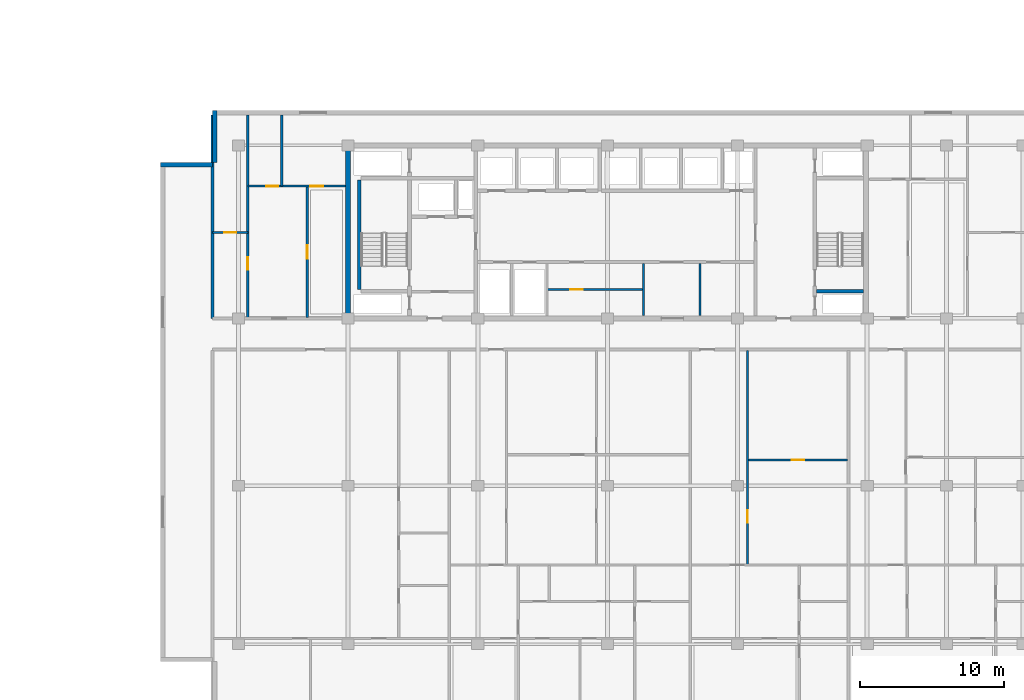
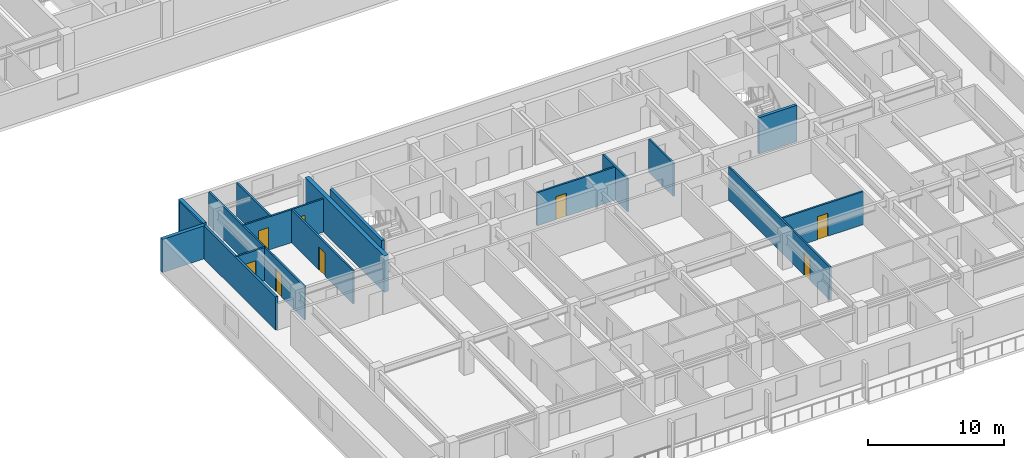
# One storey, part 6 of 22: 16 walls, 8 doors, 8 openings.
"""IFC4 building model written with IfcOpenShell, lengths in metres."""

from ifc_helpers import new_model, si_unit, direction, frame, frame_2d, origin, place, context, subcontext, project, spatial, rectangle, extrude, material, layer, layer_set, type_object, element, fill, save


model = new_model("IFC4")

# Units and contexts
model_context = context("Model", 3, precision=1e-05, world=origin(), true_north=direction((0.0, 1.0)))
body_context = subcontext(model_context, "Body", "Model", "MODEL_VIEW")
ifc_project = project(units=[si_unit("LENGTHUNIT", "METRE"), si_unit("AREAUNIT", "SQUARE_METRE"), si_unit("VOLUMEUNIT", "CUBIC_METRE"), si_unit("PLANEANGLEUNIT", "RADIAN"), si_unit("MASSUNIT", "GRAM", prefix="KILO")], contexts=[model_context])

# Site, building, storey
site_placement = place(None, origin())
site = spatial("IfcSite", under=ifc_project, at=site_placement, CompositionType="ELEMENT")
building_placement = place(site_placement, origin())
building = spatial("IfcBuilding", under=site, at=building_placement, Name="Korimba Cascade Residences", CompositionType="ELEMENT")
storey_placement = place(building_placement, frame((0.0, 0.0, 90.550048828125)))
storey = spatial("IfcBuildingStorey", under=building, at=storey_placement, Name="L25", CompositionType="ELEMENT", Elevation=90.550048828125)

# Walls
ifc_material_1 = material(Name="Precast concrete C40/50", Category="concrete")
ifc_layer_1 = layer(ifc_material_1, 0.300048828125)
ifc_layer_set_1 = layer_set([ifc_layer_1], Name="Precast concrete C40/50")
wall_type_1 = type_object("IfcWallType", Name="EW-STONE-300", PredefinedType="STANDARD", material=ifc_layer_set_1)
wall_1_placement = place(storey_placement, frame((72.85009765625, 32.800048828125, 0.0), z_axis=(0.0, 0.0, 1.0), x_axis=(0.0, -1.0, 0.0)))
element("IfcWall", 1, at=wall_1_placement, inside=storey, type_object=wall_type_1, Name="L25 T2 Perimeter Stone Wall E07", PredefinedType="STANDARD", context=body_context, shape_type="SweptSolid", body=[
    extrude(rectangle(XDim=3.60009765625, YDim=0.300048828125, at=frame_2d((1.800048828125, 0.0))), origin(), (0.0, 0.0, 1.0), 2.969970703125),
])
wall_2_placement = place(storey_placement, frame((72.699951171875, 29.050048828125, 0.0), z_axis=(0.0, 0.0, 1.0), x_axis=(-1.0, 0.0, 0.0)))
element("IfcWall", 2, at=wall_2_placement, inside=storey, type_object=wall_type_1, Name="L25 T2 Perimeter Stone Wall E08", PredefinedType="STANDARD", context=body_context, shape_type="SweptSolid", body=[
    extrude(rectangle(XDim=3.599853515625, YDim=0.300048828125, at=frame_2d((1.7998046875, 0.0))), origin(), (0.0, 0.0, 1.0), 2.969970703125),
])
ifc_material_2 = material(Name="Concrete C65/80", Category="concrete")
ifc_layer_2 = layer(ifc_material_2, 0.35009765625)
ifc_layer_set_2 = layer_set([ifc_layer_2], Name="Concrete C65/80")
wall_type_2 = type_object("IfcWallType", Name="WAL-CORE-350", PredefinedType="SHEAR", material=ifc_layer_set_2)
wall_3_placement = place(storey_placement, frame((82.10009765625, 18.574951171875, 0.0), z_axis=(0.0, 0.0, 1.0), x_axis=(0.0, 1.0, 0.0)))
element("IfcWall", 3, at=wall_3_placement, inside=storey, type_object=wall_type_2, Name="L25 Core Shear Wall CW-L25-T2-W", PredefinedType="SHEAR", context=body_context, shape_type="SweptSolid", body=[
    extrude(rectangle(XDim=11.650146484375, YDim=0.35009765625, at=frame_2d((5.8251953125, 0.0))), origin(), (0.0, 0.0, 1.0), 3.25),
])
ifc_layer_3 = layer(ifc_material_1, 0.199951171875)
ifc_layer_set_3 = layer_set([ifc_layer_3], Name="Precast concrete C40/50")
wall_type_3 = type_object("IfcWallType", Name="WAL-IT-200", PredefinedType="PARTITIONING", material=ifc_layer_set_3)
wall_4_placement = place(storey_placement, frame((72.699951171875, 18.39990234375, 0.0), z_axis=(0.0, 0.0, 1.0), x_axis=(0.0, 1.0, 0.0)))
element("IfcWall", 4, at=wall_4_placement, inside=storey, type_object=wall_type_3, Name="L25 Partition Wall WAL-L25-T2-FW-WL", PredefinedType="PARTITIONING", context=body_context, shape_type="SweptSolid", body=[
    extrude(rectangle(XDim=14.10009765625, YDim=0.199951171875, at=frame_2d((7.050048828125, 0.0))), origin(), (0.0, 0.0, 1.0), 2.969970703125),
])

# Wall, opening, door
ifc_material_3 = material(Name="Insulated Acoustic Stud Partition", Category="gypsum")
ifc_layer_4 = layer(ifc_material_3, 0.14990234375)
ifc_layer_set_4 = layer_set([ifc_layer_4], Name="Insulated Acoustic Stud Partition")
wall_type_4 = type_object("IfcWallType", Name="WAL-PART-150", PredefinedType="PARTITIONING", material=ifc_layer_set_4)
wall_5_placement = place(storey_placement, frame((95.89990234375, 20.39990234375, 0.0), z_axis=(0.0, 0.0, 1.0), x_axis=(1.0, 0.0, 0.0)))
wall_5 = element("IfcWall", 5, at=wall_5_placement, inside=storey, type_object=wall_type_4, Name="L25 Partition Wall CW-L25-T2-CA2HZ", PredefinedType="PARTITIONING", context=body_context, shape_type="SweptSolid", body=[
    extrude(rectangle(XDim=6.7001953125, YDim=0.14990234375, at=frame_2d((3.35009765625, 0.0))), origin(), (0.0, 0.0, 1.0), 2.969970703125),
])
opening_1_placement = place(wall_5_placement, frame((1.60009765625, 0.0, 0.0)))
opening_1 = element("IfcOpeningElement", 6, at=opening_1_placement, cuts=wall_5, Name="Opening D-IN2", PredefinedType="OPENING", context=body_context, shape_type="SweptSolid", body=[
    extrude(rectangle(XDim=0.8798828125, YDim=2.06005859375, at=frame_2d((0.43994140625, 1.030029296875))), frame((0.0, 0.0849609375, 0.0), z_axis=(0.0, -1.0, 0.0), x_axis=(1.0, 0.0, 0.0)), (0.0, 0.0, 1.0), 0.169921875),
])
ifc_material_4 = material(Name="Acoustic Timber Bedroom Door", Category="wood")
door_type_1 = type_object("IfcDoorType", Name="DR-INT-880", OperationType="NOTDEFINED", PredefinedType="DOOR", material=ifc_material_4)
door_1_placement = place(opening_1_placement, origin())
door_1 = element("IfcDoor", 7, at=door_1_placement, inside=storey, type_object=door_type_1, Name="L25 T2 Pram Store Door", OperationType="SINGLE_SWING_RIGHT", OverallHeight=2.06005859375, OverallWidth=0.8798828125, PredefinedType="DOOR", context=body_context, shape_type="SweptSolid", body=[
    extrude(rectangle(XDim=0.8798828125, YDim=2.06005859375, at=frame_2d((0.43994140625, 1.030029296875))), frame((0.0, 0.02490234375, 0.0), z_axis=(0.0, -1.0, 0.0), x_axis=(1.0, 0.0, 0.0)), (0.0, 0.0, 1.0), 0.050048828125),
])
fill(opening_1, door_1)

# Walls
for number, where, z_axis, x_axis, name in (
    (8, (102.60009765625, 18.60009765625, 0.0), (0.0, 0.0, 1.0), (0.0, 1.0, 0.0), "L25 Partition Wall CW-L25-T2-THW"),
    (9, (106.5, 18.60009765625, 0.0), (0.0, 0.0, 1.0), (0.0, 1.0, 0.0), "L25 Partition Wall CW-L25-T2-THE"),
):
    element("IfcWall", number, at=place(storey_placement, frame(where, z_axis=z_axis, x_axis=x_axis)), inside=storey, type_object=wall_type_4, Name=name, PredefinedType="PARTITIONING", context=body_context, shape_type="SweptSolid", body=[
        extrude(rectangle(XDim=3.599853515625, YDim=0.14990234375, at=frame_2d((1.7998046875, 0.0))), origin(), (0.0, 0.0, 1.0), 2.969970703125),
    ])

# Wall, opening, door
wall_6_placement = place(storey_placement, frame((72.699951171875, 24.35009765625, 0.0), z_axis=(0.0, 0.0, 1.0), x_axis=(1.0, 0.0, 0.0)))
wall_6 = element("IfcWall", 10, at=wall_6_placement, inside=storey, type_object=wall_type_4, Name="L25 Partition Wall WAL-L25-T2-FW-STH", PredefinedType="PARTITIONING", context=body_context, shape_type="SweptSolid", body=[
    extrude(rectangle(XDim=2.449951171875, YDim=0.14990234375, at=frame_2d((1.22509765625, 0.0))), origin(), (0.0, 0.0, 1.0), 2.969970703125),
])
opening_2_placement = place(wall_6_placement, frame((0.804931640625, 0.0, 0.0)))
opening_2 = element("IfcOpeningElement", 11, at=opening_2_placement, cuts=wall_6, Name="Opening D-BT1", PredefinedType="OPENING", context=body_context, shape_type="SweptSolid", body=[
    extrude(rectangle(XDim=0.840087890625, YDim=2.0400390625, at=frame_2d((0.419921875, 1.02001953125))), frame((0.0, 0.0849609375, 0.0), z_axis=(0.0, -1.0, 0.0), x_axis=(1.0, 0.0, 0.0)), (0.0, 0.0, 1.0), 0.169921875),
])
ifc_material_5 = material(Name="Moisture-Resistant Bathroom Timber Door", Category="wood")
door_type_2 = type_object("IfcDoorType", Name="DR-INT-850", OperationType="NOTDEFINED", PredefinedType="DOOR", material=ifc_material_5)
door_2_placement = place(opening_2_placement, origin())
door_2 = element("IfcDoor", 12, at=door_2_placement, inside=storey, type_object=door_type_2, Name="L25-T2-FW Dressing Store Door", OperationType="SINGLE_SWING_LEFT", OverallHeight=2.0400390625, OverallWidth=0.840087890625, PredefinedType="DOOR", context=body_context, shape_type="SweptSolid", body=[
    extrude(rectangle(XDim=0.840087890625, YDim=2.0400390625, at=frame_2d((0.419921875, 1.02001953125))), frame((0.0, 0.02490234375, 0.0), z_axis=(0.0, -1.0, 0.0), x_axis=(1.0, 0.0, 0.0)), (0.0, 0.0, 1.0), 0.050048828125),
])
fill(opening_2, door_2)

wall_7_placement = place(storey_placement, frame((75.14990234375, 18.449951171875, 0.0), z_axis=(0.0, 0.0, 1.0), x_axis=(0.0, 1.0, 0.0)))
wall_7 = element("IfcWall", 13, at=wall_7_placement, inside=storey, type_object=wall_type_4, Name="L25 Partition Wall WAL-L25-T2-FW-STV", PredefinedType="PARTITIONING", context=body_context, shape_type="SweptSolid", body=[
    extrude(rectangle(XDim=14.050048828125, YDim=0.14990234375, at=frame_2d((7.02490234375, 0.0))), origin(), (0.0, 0.0, 1.0), 2.969970703125),
])
opening_3_placement = place(wall_7_placement, frame((3.320068359375, 0.0, 0.0)))
opening_3 = element("IfcOpeningElement", 14, at=opening_3_placement, cuts=wall_7, Name="Opening D-IN2", PredefinedType="OPENING", context=body_context, shape_type="SweptSolid", body=[
    extrude(rectangle(XDim=0.8798828125, YDim=2.06005859375, at=frame_2d((0.43994140625, 1.030029296875))), frame((0.0, 0.0849609375, 0.0), z_axis=(0.0, -1.0, 0.0), x_axis=(1.0, 0.0, 0.0)), (0.0, 0.0, 1.0), 0.169921875),
])
door_3_placement = place(opening_3_placement, origin())
door_3 = element("IfcDoor", 15, at=door_3_placement, inside=storey, type_object=door_type_1, Name="L25-T2-FW Study Door", OperationType="SINGLE_SWING_RIGHT", OverallHeight=2.06005859375, OverallWidth=0.8798828125, PredefinedType="DOOR", context=body_context, shape_type="SweptSolid", body=[
    extrude(rectangle(XDim=0.8798828125, YDim=2.06005859375, at=frame_2d((0.43994140625, 1.030029296875))), frame((0.0, 0.02490234375, 0.0), z_axis=(0.0, -1.0, 0.0), x_axis=(1.0, 0.0, 0.0)), (0.0, 0.0, 1.0), 0.050048828125),
])
fill(opening_3, door_3)

wall_8_placement = place(storey_placement, frame((79.27001953125, 18.449951171875, 0.0), z_axis=(0.0, 0.0, 1.0), x_axis=(0.0, 1.0, 0.0)))
wall_8 = element("IfcWall", 16, at=wall_8_placement, inside=storey, type_object=wall_type_4, Name="L25 Partition Wall WAL-L25-T2-FW-VS", PredefinedType="PARTITIONING", context=body_context, shape_type="SweptSolid", body=[
    extrude(rectangle(XDim=9.1201171875, YDim=0.14990234375, at=frame_2d((4.56005859375, 0.0))), origin(), (0.0, 0.0, 1.0), 2.969970703125),
])
opening_4_placement = place(wall_8_placement, frame((4.10009765625, 0.0, 0.0)))
opening_4 = element("IfcOpeningElement", 17, at=opening_4_placement, cuts=wall_8, Name="Opening D-IN1", PredefinedType="OPENING", context=body_context, shape_type="SweptSolid", body=[
    extrude(rectangle(XDim=0.919921875, YDim=2.080078125, at=frame_2d((0.4599609375, 1.0400390625))), frame((0.0, 0.0849609375, 0.0), z_axis=(0.0, -1.0, 0.0), x_axis=(1.0, 0.0, 0.0)), (0.0, 0.0, 1.0), 0.169921875),
])
ifc_material_6 = material(Name="Acoustic Timber Living Door", Category="wood")
door_type_3 = type_object("IfcDoorType", Name="DR-INT-920", OperationType="NOTDEFINED", PredefinedType="DOOR", material=ifc_material_6)
door_4_placement = place(opening_4_placement, origin())
door_4 = element("IfcDoor", 18, at=door_4_placement, inside=storey, type_object=door_type_3, Name="L25-T2-FW Living Door", OperationType="SINGLE_SWING_LEFT", OverallHeight=2.080078125, OverallWidth=0.919921875, PredefinedType="DOOR", context=body_context, shape_type="SweptSolid", body=[
    extrude(rectangle(XDim=0.919921875, YDim=2.080078125, at=frame_2d((0.4599609375, 1.0400390625))), frame((0.0, 0.02490234375, 0.0), z_axis=(0.0, -1.0, 0.0), x_axis=(1.0, 0.0, 0.0)), (0.0, 0.0, 1.0), 0.050048828125),
])
fill(opening_4, door_4)

# Wall
wall_9_placement = place(storey_placement, frame((77.5, 27.570068359375, 0.0), z_axis=(0.0, 0.0, 1.0), x_axis=(0.0, 1.0, 0.0)))
element("IfcWall", 19, at=wall_9_placement, inside=storey, type_object=wall_type_4, Name="L25 Partition Wall WAL-L25-T2-FW-VN", PredefinedType="PARTITIONING", context=body_context, shape_type="SweptSolid", body=[
    extrude(rectangle(XDim=4.929931640625, YDim=0.14990234375, at=frame_2d((2.46484375, 0.0))), origin(), (0.0, 0.0, 1.0), 2.969970703125),
])

# Wall, openings, doors
wall_10_placement = place(storey_placement, frame((75.169921875, 27.570068359375, 0.0), z_axis=(0.0, 0.0, 1.0), x_axis=(1.0, 0.0, 0.0)))
wall_10 = element("IfcWall", 20, at=wall_10_placement, inside=storey, type_object=wall_type_4, Name="L25 Partition Wall WAL-L25-T2-FW-H", PredefinedType="PARTITIONING", context=body_context, shape_type="SweptSolid", body=[
    extrude(rectangle(XDim=6.760009765625, YDim=0.14990234375, at=frame_2d((3.3798828125, 0.0))), origin(), (0.0, 0.0, 1.0), 2.969970703125),
])
opening_5_placement = place(wall_10_placement, frame((1.266357421875, 0.0, 0.0)))
opening_5 = element("IfcOpeningElement", 21, at=opening_5_placement, cuts=wall_10, Name="Opening D-BT1", PredefinedType="OPENING", context=body_context, shape_type="SweptSolid", body=[
    extrude(rectangle(XDim=0.840087890625, YDim=2.0400390625, at=frame_2d((0.419921875, 1.02001953125))), frame((0.0, 0.0849609375, 0.0), z_axis=(0.0, -1.0, 0.0), x_axis=(1.0, 0.0, 0.0)), (0.0, 0.0, 1.0), 0.169921875),
])
opening_6_placement = place(wall_10_placement, frame((4.320068359375, 0.0, 0.0)))
opening_6 = element("IfcOpeningElement", 22, at=opening_6_placement, cuts=wall_10, Name="Opening D-IN2", PredefinedType="OPENING", context=body_context, shape_type="SweptSolid", body=[
    extrude(rectangle(XDim=0.8798828125, YDim=2.06005859375, at=frame_2d((0.43994140625, 1.030029296875))), frame((0.0, 0.0849609375, 0.0), z_axis=(0.0, -1.0, 0.0), x_axis=(1.0, 0.0, 0.0)), (0.0, 0.0, 1.0), 0.169921875),
])
door_5_placement = place(opening_5_placement, origin())
door_5 = element("IfcDoor", 23, at=door_5_placement, inside=storey, type_object=door_type_2, Name="L25-T2-FW Bathroom Door", OperationType="SINGLE_SWING_RIGHT", OverallHeight=2.0400390625, OverallWidth=0.840087890625, PredefinedType="DOOR", context=body_context, shape_type="SweptSolid", body=[
    extrude(rectangle(XDim=0.840087890625, YDim=2.0400390625, at=frame_2d((0.419921875, 1.02001953125))), frame((0.0, 0.02490234375, 0.0), z_axis=(0.0, -1.0, 0.0), x_axis=(1.0, 0.0, 0.0)), (0.0, 0.0, 1.0), 0.050048828125),
])
fill(opening_5, door_5)
door_6_placement = place(opening_6_placement, origin())
door_6 = element("IfcDoor", 24, at=door_6_placement, inside=storey, type_object=door_type_1, Name="L25-T2-FW Bedroom Door", OperationType="SINGLE_SWING_LEFT", OverallHeight=2.06005859375, OverallWidth=0.8798828125, PredefinedType="DOOR", context=body_context, shape_type="SweptSolid", body=[
    extrude(rectangle(XDim=0.8798828125, YDim=2.06005859375, at=frame_2d((0.43994140625, 1.030029296875))), frame((0.0, 0.02490234375, 0.0), z_axis=(0.0, -1.0, 0.0), x_axis=(1.0, 0.0, 0.0)), (0.0, 0.0, 1.0), 0.050048828125),
])
fill(opening_6, door_6)

# Wall, opening, door
wall_11_placement = place(storey_placement, frame((109.861083984375, 8.5849609375, 0.0), z_axis=(0.0, 0.0, 1.0), x_axis=(1.0, 0.0, 0.0)))
wall_11 = element("IfcWall", 25, at=wall_11_placement, inside=storey, type_object=wall_type_4, Name="L25 Partition Wall WAL-L25-T2-U03-FMH", PredefinedType="PARTITIONING", context=body_context, shape_type="SweptSolid", body=[
    extrude(rectangle(XDim=6.871337890625, YDim=0.14990234375, at=frame_2d((3.435546875, 0.0))), origin(), (0.0, 0.0, 1.0), 2.969970703125),
])
opening_7_placement = place(wall_11_placement, frame((2.99560546875, 0.0, 0.0)))
opening_7 = element("IfcOpeningElement", 26, at=opening_7_placement, cuts=wall_11, Name="Opening D-IN2", PredefinedType="OPENING", context=body_context, shape_type="SweptSolid", body=[
    extrude(rectangle(XDim=0.8798828125, YDim=2.06005859375, at=frame_2d((0.43994140625, 1.030029296875))), frame((0.0, 0.0849609375, 0.0), z_axis=(0.0, -1.0, 0.0), x_axis=(1.0, 0.0, 0.0)), (0.0, 0.0, 1.0), 0.169921875),
])
door_7_placement = place(opening_7_placement, origin())
door_7 = element("IfcDoor", 27, at=door_7_placement, inside=storey, type_object=door_type_1, Name="L25-T2-U03 Library Salon Door", OperationType="SINGLE_SWING_LEFT", OverallHeight=2.06005859375, OverallWidth=0.8798828125, PredefinedType="DOOR", context=body_context, shape_type="SweptSolid", body=[
    extrude(rectangle(XDim=0.8798828125, YDim=2.06005859375, at=frame_2d((0.43994140625, 1.030029296875))), frame((0.0, 0.02490234375, 0.0), z_axis=(0.0, -1.0, 0.0), x_axis=(1.0, 0.0, 0.0)), (0.0, 0.0, 1.0), 0.050048828125),
])
fill(opening_7, door_7)

wall_12_placement = place(storey_placement, frame((109.80126953125, 1.340087890625, 0.0), z_axis=(0.0, 0.0, 1.0), x_axis=(0.0, 1.0, 0.0)))
wall_12 = element("IfcWall", 28, at=wall_12_placement, inside=storey, type_object=wall_type_4, Name="L25 Partition Wall WAL-L25-T2-U03-FV", PredefinedType="PARTITIONING", context=body_context, shape_type="SweptSolid", body=[
    extrude(rectangle(XDim=14.849853515625, YDim=0.14990234375, at=frame_2d((7.4248046875, 0.0))), origin(), (0.0, 0.0, 1.0), 2.969970703125),
])
opening_8_placement = place(wall_12_placement, frame((2.88671875, 0.0, 0.0)))
opening_8 = element("IfcOpeningElement", 29, at=opening_8_placement, cuts=wall_12, Name="Opening D-IN2", PredefinedType="OPENING", context=body_context, shape_type="SweptSolid", body=[
    extrude(rectangle(XDim=0.8798828125, YDim=2.06005859375, at=frame_2d((0.43994140625, 1.030029296875))), frame((0.0, 0.0849609375, 0.0), z_axis=(0.0, -1.0, 0.0), x_axis=(1.0, 0.0, 0.0)), (0.0, 0.0, 1.0), 0.169921875),
])
door_8_placement = place(opening_8_placement, origin())
door_8 = element("IfcDoor", 30, at=door_8_placement, inside=storey, type_object=door_type_1, Name="L25-T2-U03 Media Lounge Door", OperationType="SINGLE_SWING_RIGHT", OverallHeight=2.06005859375, OverallWidth=0.8798828125, PredefinedType="DOOR", context=body_context, shape_type="SweptSolid", body=[
    extrude(rectangle(XDim=0.8798828125, YDim=2.06005859375, at=frame_2d((0.43994140625, 1.030029296875))), frame((0.0, 0.02490234375, 0.0), z_axis=(0.0, -1.0, 0.0), x_axis=(1.0, 0.0, 0.0)), (0.0, 0.0, 1.0), 0.050048828125),
])
fill(opening_8, door_8)

# Walls
ifc_material_7 = material(Name="Concrete C50/60", Category="concrete")
ifc_layer_5 = layer(ifc_material_7, 0.25)
ifc_layer_set_5 = layer_set([ifc_layer_5], Name="Concrete C50/60")
wall_type_5 = type_object("IfcWallType", Name="WAL-SHAFT-250", PredefinedType="SHEAR", material=ifc_layer_set_5)
wall_13_placement = place(storey_placement, frame((82.875, 20.39990234375, 0.0), z_axis=(0.0, 0.0, 1.0), x_axis=(0.0, 1.0, 0.0)))
element("IfcWall", 31, at=wall_13_placement, inside=storey, type_object=wall_type_5, Name="L25 Core Shear Wall CW-L25-T2-STE1W", PredefinedType="SHEAR", context=body_context, shape_type="SweptSolid", body=[
    extrude(rectangle(XDim=7.60009765625, YDim=0.25, at=frame_2d((3.800048828125, 0.0))), origin(), (0.0, 0.0, 1.0), 3.25),
])
wall_14_placement = place(storey_placement, frame((114.60009765625, 20.27490234375, 0.0), z_axis=(0.0, 0.0, 1.0), x_axis=(1.0, 0.0, 0.0)))
element("IfcWall", 32, at=wall_14_placement, inside=storey, type_object=wall_type_5, Name="L25 Core Shear Wall CW-L25-T2-STE2S", PredefinedType="SHEAR", context=body_context, shape_type="SweptSolid", body=[
    extrude(rectangle(XDim=3.239990234375, YDim=0.25, at=frame_2d((1.6201171875, 0.0))), origin(), (0.0, 0.0, 1.0), 3.25),
])

save(model, "model.ifc")
